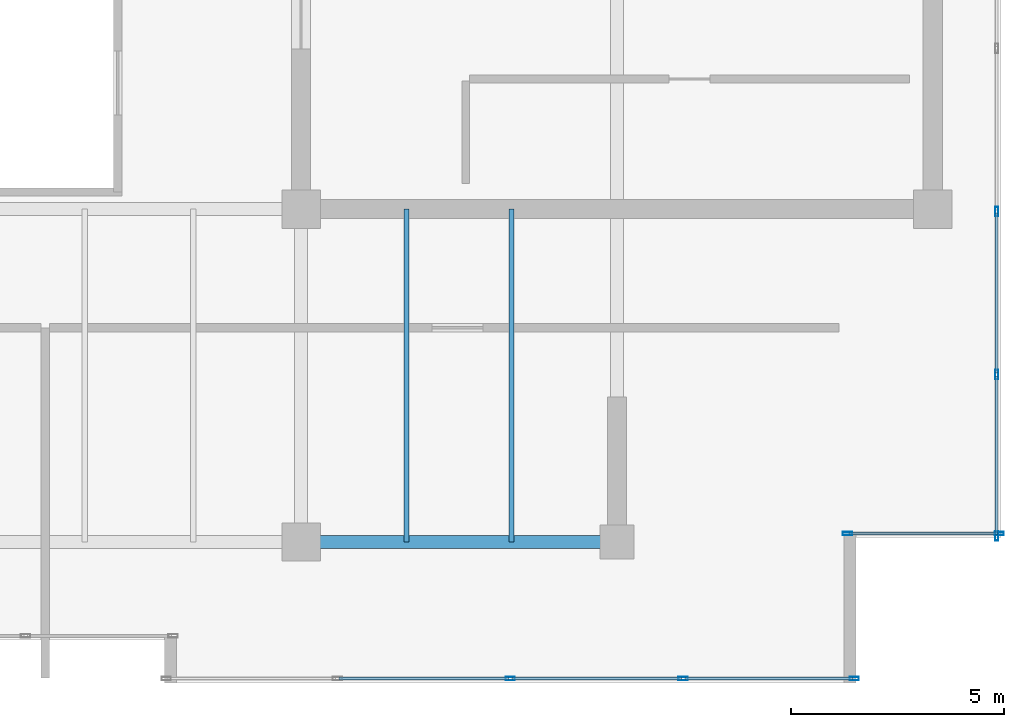
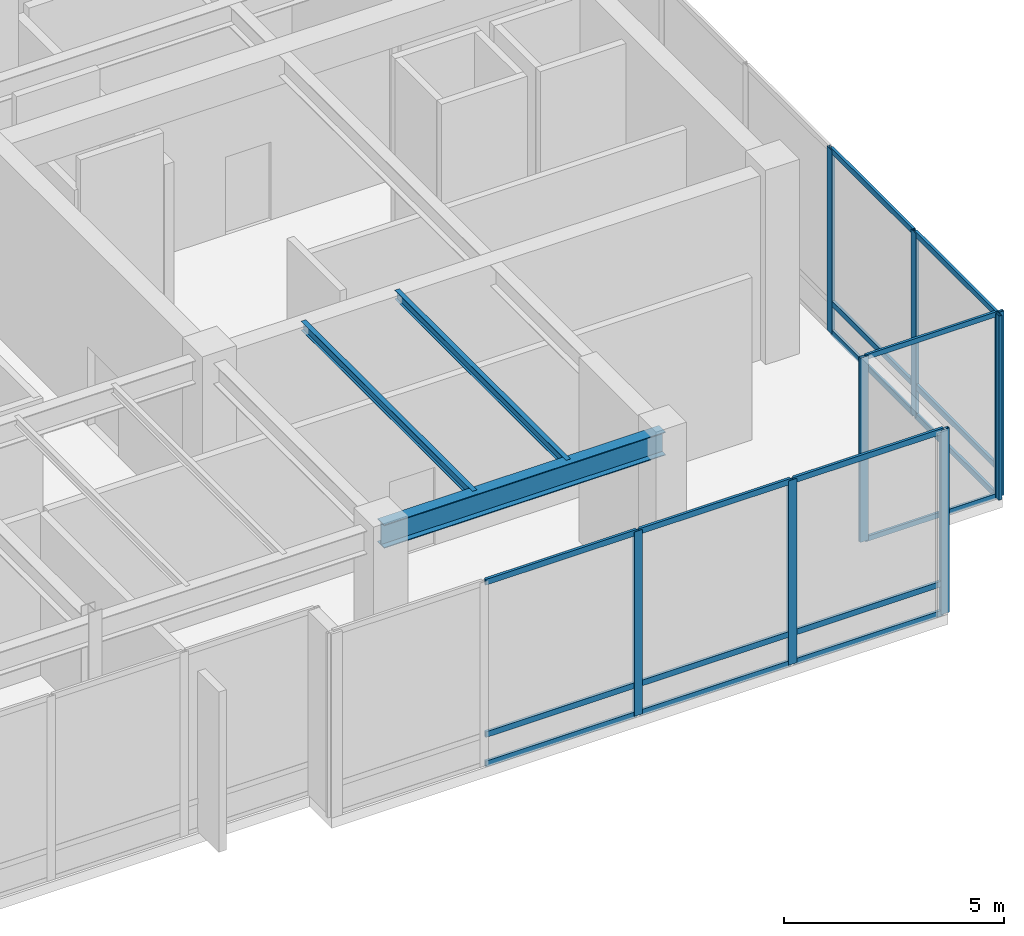
# One storey, part 14 of 30: 25 members, 3 beams, 3 elements without a shape of their own.
"""IFC4 building model written with IfcOpenShell, lengths in metres."""

from ifc_helpers import new_model, si_unit, direction, frame, origin, origin_2d, place, context, subcontext, project, spatial, hollow_rectangle, i_section, extrude, source, transform, mapped, material, layer, layer_set, material_profile, profile_set, type_object, type_shapes, element, aggregate, save


model = new_model("IFC4")

# Units and contexts
model_context = context("Model", 3, precision=1e-05, world=origin(), true_north=direction((0.0, 1.0)))
body_context = subcontext(model_context, "Body", "Model", "MODEL_VIEW")
ifc_project = project(units=[si_unit("LENGTHUNIT", "METRE"), si_unit("AREAUNIT", "SQUARE_METRE"), si_unit("VOLUMEUNIT", "CUBIC_METRE"), si_unit("PLANEANGLEUNIT", "RADIAN"), si_unit("MASSUNIT", "GRAM", prefix="KILO")], contexts=[model_context])

# Site, building, storey
site_placement = place(None, origin())
site = spatial("IfcSite", under=ifc_project, at=site_placement, CompositionType="ELEMENT")
building_placement = place(site_placement, origin())
building = spatial("IfcBuilding", under=site, at=building_placement, Name="Haelvirn Gate Laboratories", CompositionType="ELEMENT")
storey_placement = place(building_placement, frame((0.0, 0.0, 327.0)))
storey = spatial("IfcBuildingStorey", under=building, at=storey_placement, Name="L78", CompositionType="ELEMENT", Elevation=327.0)

# Beams
ifc_material_1 = material(Name="Steel SM355", Category="steel")
ifc_material_profile_1 = material_profile(ifc_material_1, i_section(OverallWidth=0.300048828125, OverallDepth=0.64990234375, WebThickness=0.012939453125, FlangeThickness=0.02197265625, at=origin_2d()), Name="H-650x300x13x22")
ifc_profile_set_1 = profile_set([ifc_material_profile_1], Name="Steel SM355")
beam_type_1 = type_object("IfcBeamType", Name="BM-G-650", PredefinedType="BEAM", material=ifc_profile_set_1)
shared_shape_1 = source(origin(), body_context, "Body", "SweptSolid", [
    extrude(i_section(OverallWidth=0.300048828125, OverallDepth=0.64990234375, WebThickness=0.012939453125, FlangeThickness=0.02197265625, at=origin_2d()), origin(), (0.0, 0.0, 1.0), 7.39990234375),
])
type_shapes(beam_type_1, [shared_shape_1])
beam_placement = place(storey_placement, frame((52.60009765625, 7.0, 4.794921875), z_axis=(1.0, 0.0, 0.0), x_axis=(0.0, 1.0, 0.0)))
element("IfcBeam", 1, at=beam_placement, inside=storey, type_object=beam_type_1, Name="L78 Primary Girder Y7.0 (52.6-60.0)", PredefinedType="BEAM", context=body_context, shape_type="MappedRepresentation", body=[
    mapped(shared_shape_1, transform((0.0, 0.0, 0.0), scale=1.0)),
])
ifc_material_profile_2 = material_profile(ifc_material_1, i_section(OverallWidth=0.125, OverallDepth=0.25, WebThickness=0.006103515625, FlangeThickness=0.009033203125, at=origin_2d()), Name="H-250x125x6x9")
ifc_profile_set_2 = profile_set([ifc_material_profile_2], Name="Steel SM355")
beam_type_2 = type_object("IfcBeamType", Name="BM-J-250", PredefinedType="JOIST", material=ifc_profile_set_2)
shared_shape_2 = source(origin(), body_context, "Body", "SweptSolid", [
    extrude(i_section(OverallWidth=0.125, OverallDepth=0.25, WebThickness=0.006103515625, FlangeThickness=0.009033203125, at=origin_2d()), origin(), (0.0, 0.0, 1.0), 7.800048828125),
])
type_shapes(beam_type_2, [shared_shape_2])
for number, where, z_axis, x_axis, name in (
    (2, (55.070068359375, 7.0, 4.9951171875), (0.0, 1.0, 0.0), (-1.0, 0.0, 0.0), "L78 Composite Lab Joist South X55.07"),
    (3, (57.530029296875, 7.0, 4.9951171875), (0.0, 1.0, 0.0), (-1.0, 0.0, 0.0), "L78 Composite Lab Joist South X57.53"),
):
    element("IfcBeam", number, at=place(storey_placement, frame(where, z_axis=z_axis, x_axis=x_axis)), inside=storey, type_object=beam_type_2, Name=name, PredefinedType="JOIST", context=body_context, shape_type="MappedRepresentation", body=[
        mapped(shared_shape_2, transform((0.0, 0.0, 0.0), scale=1.0)),
    ])

# Curtain wall, members
ifc_material_2 = material(Name="Anodised bronze unitised aluminium & triple low-E glass", Category="aluminium")
ifc_layer_1 = layer(ifc_material_2, 0.181884765625, Name="CW-SYS-5")
ifc_layer_set_1 = layer_set([ifc_layer_1], Name="Anodised bronze unitised aluminium & triple low-E glass")
curtain_wall_type_1 = type_object("IfcCurtainWallType", Name="CW-SYS-5", PredefinedType="NOTDEFINED", material=ifc_layer_set_1)
curtain_wall_1_placement = place(storey_placement, origin())
curtain_wall_1 = element("IfcCurtainWall", 4, at=curtain_wall_1_placement, inside=storey, type_object=curtain_wall_type_1, Name="L78 Unitised Curtain Wall CW-L78-P0-E06-1", PredefinedType="NOTDEFINED")
ifc_material_3 = material(Name="Extruded aluminium 6063-T6 (anodised bronze)", Category="aluminium")
ifc_material_profile_3 = material_profile(ifc_material_3, hollow_rectangle(XDim=0.06494140625, YDim=0.139892578125, WallThickness=0.00390625, at=origin_2d()), Name="CWT-140x65x4")
ifc_profile_set_3 = profile_set([ifc_material_profile_3], Name="Extruded aluminium 6063-T6 (anodised bronze)")
member_type_1 = type_object("IfcMemberType", Name="CWT-T140", PredefinedType="USERDEFINED", material=ifc_profile_set_3)
shared_shape_3 = source(origin(), body_context, "Body", "SweptSolid", [
    extrude(hollow_rectangle(XDim=0.06494140625, YDim=0.139892578125, WallThickness=0.00390625, at=origin_2d()), origin(), (0.0, 0.0, 1.0), 3.47998046875),
])
type_shapes(member_type_1, [shared_shape_3])
member_1_placement = place(storey_placement, frame((65.43994140625, 7.199951171875, 0.032470703125), z_axis=(1.0, 0.0, 0.0), x_axis=(0.0, 1.0, 0.0)))
member_1 = element("IfcMember", 5, at=member_1_placement, type_object=member_type_1, Name="CW5 transom 1.1", ObjectType="TRANSOM", PredefinedType="USERDEFINED", context=body_context, shape_type="MappedRepresentation", body=[
    mapped(shared_shape_3, transform((0.0, 0.0, 0.0), scale=1.0)),
])
member_2_placement = place(storey_placement, frame((65.43994140625, 7.199951171875, 5.08740234375), z_axis=(1.0, 0.0, 0.0), x_axis=(0.0, 1.0, 0.0)))
member_2 = element("IfcMember", 6, at=member_2_placement, type_object=member_type_1, Name="CW5 transom 1.2", ObjectType="TRANSOM", PredefinedType="USERDEFINED", context=body_context, shape_type="MappedRepresentation", body=[
    mapped(shared_shape_3, transform((0.0, 0.0, 0.0), scale=1.0)),
])

ifc_layer_2 = layer(ifc_material_2, 0.19189453125, Name="CW-SYS-6")
ifc_layer_set_2 = layer_set([ifc_layer_2], Name="Anodised bronze unitised aluminium & triple low-E glass")
curtain_wall_type_2 = type_object("IfcCurtainWallType", Name="CW-SYS-6", PredefinedType="NOTDEFINED", material=ifc_layer_set_2)
curtain_wall_2_placement = place(storey_placement, origin())
curtain_wall_2 = element("IfcCurtainWall", 7, at=curtain_wall_2_placement, inside=storey, type_object=curtain_wall_type_2, Name="L78 Unitised Curtain Wall CW-L78-P0-E04-1", PredefinedType="NOTDEFINED")
ifc_material_profile_4 = material_profile(ifc_material_3, hollow_rectangle(XDim=0.080078125, YDim=0.219970703125, WallThickness=0.006103515625, at=origin_2d()), Name="CWM-220x80x6")
ifc_profile_set_4 = profile_set([ifc_material_profile_4], Name="Extruded aluminium 6063-T6 (anodised bronze)")
member_type_2 = type_object("IfcMemberType", Name="CWM-T220", PredefinedType="MULLION", material=ifc_profile_set_4)
shared_shape_4 = source(origin(), body_context, "Body", "SweptSolid", [
    extrude(hollow_rectangle(XDim=0.080078125, YDim=0.219970703125, WallThickness=0.006103515625, at=origin_2d()), origin(), (0.0, 0.0, 1.0), 5.1201171875),
])
type_shapes(member_type_2, [shared_shape_4])
member_3_placement = place(storey_placement, frame((57.5, 3.800048828125, 0.0), z_axis=(0.0, 0.0, 1.0), x_axis=(0.0, 1.0, 0.0)))
member_3 = element("IfcMember", 8, at=member_3_placement, type_object=member_type_2, Name="CW6 mullion 3", PredefinedType="MULLION", context=body_context, shape_type="MappedRepresentation", body=[
    mapped(shared_shape_4, transform((0.0, 0.0, 0.0), scale=1.0)),
])
member_4_placement = place(storey_placement, frame((61.550048828125, 3.800048828125, 0.0), z_axis=(0.0, 0.0, 1.0), x_axis=(0.0, 1.0, 0.0)))
member_4 = element("IfcMember", 9, at=member_4_placement, type_object=member_type_2, Name="CW6 mullion 4", PredefinedType="MULLION", context=body_context, shape_type="MappedRepresentation", body=[
    mapped(shared_shape_4, transform((0.0, 0.0, 0.0), scale=1.0)),
])
member_5_placement = place(storey_placement, frame((65.56005859375, 3.800048828125, 0.0), z_axis=(0.0, 0.0, 1.0), x_axis=(0.0, 1.0, 0.0)))
member_5 = element("IfcMember", 10, at=member_5_placement, type_object=member_type_2, Name="CW6 mullion 5", PredefinedType="MULLION", context=body_context, shape_type="MappedRepresentation", body=[
    mapped(shared_shape_4, transform((0.0, 0.0, 0.0), scale=1.0)),
])

# Member
member_6_placement = place(storey_placement, frame((65.39990234375, 7.199951171875, 0.0), z_axis=(0.0, 0.0, 1.0), x_axis=(0.0, 1.0, 0.0)))
member_6 = element("IfcMember", 11, at=member_6_placement, type_object=member_type_2, Name="CW5 mullion 1", PredefinedType="MULLION", context=body_context, shape_type="MappedRepresentation", body=[
    mapped(shared_shape_4, transform((0.0, 0.0, 0.0), scale=1.0)),
])

member_7_placement = place(storey_placement, frame((68.9599609375, 7.199951171875, 0.0), z_axis=(0.0, 0.0, 1.0), x_axis=(0.0, 1.0, 0.0)))
member_7 = element("IfcMember", 12, at=member_7_placement, type_object=member_type_2, Name="CW5 mullion 2", PredefinedType="MULLION", context=body_context, shape_type="MappedRepresentation", body=[
    mapped(shared_shape_4, transform((0.0, 0.0, 0.0), scale=1.0)),
])

aggregate(curtain_wall_1, [member_6, member_7, member_1, member_2])

# Curtain wall, members
curtain_wall_3_placement = place(storey_placement, origin())
curtain_wall_3 = element("IfcCurtainWall", 13, at=curtain_wall_3_placement, inside=storey, type_object=curtain_wall_type_2, Name="L78 Unitised Curtain Wall CW-L78-P0-E07", PredefinedType="NOTDEFINED")
member_8_placement = place(storey_placement, frame((68.89990234375, 7.139892578125, 0.0), z_axis=(0.0, 0.0, 1.0), x_axis=(-1.0, 0.0, 0.0)))
member_8 = element("IfcMember", 14, at=member_8_placement, type_object=member_type_2, Name="CW6 mullion 1", PredefinedType="MULLION", context=body_context, shape_type="MappedRepresentation", body=[
    mapped(shared_shape_4, transform((0.0, 0.0, 0.0), scale=1.0)),
])
member_9_placement = place(storey_placement, frame((68.89990234375, 10.922119140625, 0.0), z_axis=(0.0, 0.0, 1.0), x_axis=(-1.0, 0.0, 0.0)))
member_9 = element("IfcMember", 15, at=member_9_placement, type_object=member_type_2, Name="CW6 mullion 2", PredefinedType="MULLION", context=body_context, shape_type="MappedRepresentation", body=[
    mapped(shared_shape_4, transform((0.0, 0.0, 0.0), scale=1.0)),
])
member_10_placement = place(storey_placement, frame((68.89990234375, 14.744384765625, 0.0), z_axis=(0.0, 0.0, 1.0), x_axis=(-1.0, 0.0, 0.0)))
member_10 = element("IfcMember", 16, at=member_10_placement, type_object=member_type_2, Name="CW6 mullion 3", PredefinedType="MULLION", context=body_context, shape_type="MappedRepresentation", body=[
    mapped(shared_shape_4, transform((0.0, 0.0, 0.0), scale=1.0)),
])

# Member
ifc_material_profile_5 = material_profile(ifc_material_3, hollow_rectangle(XDim=0.070068359375, YDim=0.159912109375, WallThickness=0.0048828125, at=origin_2d()), Name="CWT-160x70x5")
ifc_profile_set_5 = profile_set([ifc_material_profile_5], Name="Extruded aluminium 6063-T6 (anodised bronze)")
member_type_3 = type_object("IfcMemberType", Name="CWT-T160", PredefinedType="USERDEFINED", material=ifc_profile_set_5)
shared_shape_5 = source(origin(), body_context, "Body", "SweptSolid", [
    extrude(hollow_rectangle(XDim=0.070068359375, YDim=0.159912109375, WallThickness=0.0048828125, at=origin_2d()), origin(), (0.0, 0.0, 1.0), 3.929931640625),
])
member_11_placement = place(storey_placement, frame((61.590087890625, 3.800048828125, 0.034912109375), z_axis=(1.0, 0.0, 0.0), x_axis=(0.0, 1.0, 0.0)))
member_11 = element("IfcMember", 17, at=member_11_placement, type_object=member_type_3, Name="CW6 transom 4.1", ObjectType="TRANSOM", PredefinedType="USERDEFINED", context=body_context, shape_type="MappedRepresentation", body=[
    mapped(shared_shape_5, transform((0.0, 0.0, 0.0), scale=1.0)),
])

member_12_placement = place(storey_placement, frame((61.590087890625, 3.800048828125, 0.85009765625), z_axis=(1.0, 0.0, 0.0), x_axis=(0.0, 1.0, 0.0)))
member_12 = element("IfcMember", 18, at=member_12_placement, type_object=member_type_3, Name="CW6 transom 4.2", ObjectType="TRANSOM", PredefinedType="USERDEFINED", context=body_context, shape_type="MappedRepresentation", body=[
    mapped(shared_shape_5, transform((0.0, 0.0, 0.0), scale=1.0)),
])

member_13_placement = place(storey_placement, frame((61.590087890625, 3.800048828125, 5.0849609375), z_axis=(1.0, 0.0, 0.0), x_axis=(0.0, 1.0, 0.0)))
member_13 = element("IfcMember", 19, at=member_13_placement, type_object=member_type_3, Name="CW6 transom 4.3", ObjectType="TRANSOM", PredefinedType="USERDEFINED", context=body_context, shape_type="MappedRepresentation", body=[
    mapped(shared_shape_5, transform((0.0, 0.0, 0.0), scale=1.0)),
])

shared_shape_6 = source(origin(), body_context, "Body", "SweptSolid", [
    extrude(hollow_rectangle(XDim=0.070068359375, YDim=0.159912109375, WallThickness=0.0048828125, at=origin_2d()), origin(), (0.0, 0.0, 1.0), 3.969970703125),
])
member_14_placement = place(storey_placement, frame((53.489990234375, 3.800048828125, 0.034912109375), z_axis=(1.0, 0.0, 0.0), x_axis=(0.0, 1.0, 0.0)))
member_14 = element("IfcMember", 20, at=member_14_placement, type_object=member_type_3, Name="CW6 transom 2.1", ObjectType="TRANSOM", PredefinedType="USERDEFINED", context=body_context, shape_type="MappedRepresentation", body=[
    mapped(shared_shape_6, transform((0.0, 0.0, 0.0), scale=1.0)),
])

member_15_placement = place(storey_placement, frame((53.489990234375, 3.800048828125, 0.85009765625), z_axis=(1.0, 0.0, 0.0), x_axis=(0.0, 1.0, 0.0)))
member_15 = element("IfcMember", 21, at=member_15_placement, type_object=member_type_3, Name="CW6 transom 2.2", ObjectType="TRANSOM", PredefinedType="USERDEFINED", context=body_context, shape_type="MappedRepresentation", body=[
    mapped(shared_shape_6, transform((0.0, 0.0, 0.0), scale=1.0)),
])

member_16_placement = place(storey_placement, frame((53.489990234375, 3.800048828125, 5.0849609375), z_axis=(1.0, 0.0, 0.0), x_axis=(0.0, 1.0, 0.0)))
member_16 = element("IfcMember", 22, at=member_16_placement, type_object=member_type_3, Name="CW6 transom 2.3", ObjectType="TRANSOM", PredefinedType="USERDEFINED", context=body_context, shape_type="MappedRepresentation", body=[
    mapped(shared_shape_6, transform((0.0, 0.0, 0.0), scale=1.0)),
])

member_17_placement = place(storey_placement, frame((57.5400390625, 3.800048828125, 0.034912109375), z_axis=(1.0, 0.0, 0.0), x_axis=(0.0, 1.0, 0.0)))
member_17 = element("IfcMember", 23, at=member_17_placement, type_object=member_type_3, Name="CW6 transom 3.1", ObjectType="TRANSOM", PredefinedType="USERDEFINED", context=body_context, shape_type="MappedRepresentation", body=[
    mapped(shared_shape_6, transform((0.0, 0.0, 0.0), scale=1.0)),
])

member_18_placement = place(storey_placement, frame((57.5400390625, 3.800048828125, 0.85009765625), z_axis=(1.0, 0.0, 0.0), x_axis=(0.0, 1.0, 0.0)))
member_18 = element("IfcMember", 24, at=member_18_placement, type_object=member_type_3, Name="CW6 transom 3.2", ObjectType="TRANSOM", PredefinedType="USERDEFINED", context=body_context, shape_type="MappedRepresentation", body=[
    mapped(shared_shape_6, transform((0.0, 0.0, 0.0), scale=1.0)),
])

member_19_placement = place(storey_placement, frame((57.5400390625, 3.800048828125, 5.0849609375), z_axis=(1.0, 0.0, 0.0), x_axis=(0.0, 1.0, 0.0)))
member_19 = element("IfcMember", 25, at=member_19_placement, type_object=member_type_3, Name="CW6 transom 3.3", ObjectType="TRANSOM", PredefinedType="USERDEFINED", context=body_context, shape_type="MappedRepresentation", body=[
    mapped(shared_shape_6, transform((0.0, 0.0, 0.0), scale=1.0)),
])

aggregate(curtain_wall_2, [member_3, member_4, member_5, member_14, member_15, member_16, member_17, member_18, member_19, member_11, member_12, member_13])

shared_shape_7 = source(origin(), body_context, "Body", "SweptSolid", [
    extrude(hollow_rectangle(XDim=0.070068359375, YDim=0.159912109375, WallThickness=0.0048828125, at=origin_2d()), origin(), (0.0, 0.0, 1.0), 3.702392578125),
])
member_20_placement = place(storey_placement, frame((68.89990234375, 7.179931640625, 0.034912109375), z_axis=(0.0, 1.0, 0.0), x_axis=(-1.0, 0.0, 0.0)))
member_20 = element("IfcMember", 26, at=member_20_placement, type_object=member_type_3, Name="CW6 transom 1.1", ObjectType="TRANSOM", PredefinedType="USERDEFINED", context=body_context, shape_type="MappedRepresentation", body=[
    mapped(shared_shape_7, transform((0.0, 0.0, 0.0), scale=1.0)),
])

member_21_placement = place(storey_placement, frame((68.89990234375, 7.179931640625, 0.85009765625), z_axis=(0.0, 1.0, 0.0), x_axis=(-1.0, 0.0, 0.0)))
member_21 = element("IfcMember", 27, at=member_21_placement, type_object=member_type_3, Name="CW6 transom 1.2", ObjectType="TRANSOM", PredefinedType="USERDEFINED", context=body_context, shape_type="MappedRepresentation", body=[
    mapped(shared_shape_7, transform((0.0, 0.0, 0.0), scale=1.0)),
])

member_22_placement = place(storey_placement, frame((68.89990234375, 7.179931640625, 5.0849609375), z_axis=(0.0, 1.0, 0.0), x_axis=(-1.0, 0.0, 0.0)))
member_22 = element("IfcMember", 28, at=member_22_placement, type_object=member_type_3, Name="CW6 transom 1.3", ObjectType="TRANSOM", PredefinedType="USERDEFINED", context=body_context, shape_type="MappedRepresentation", body=[
    mapped(shared_shape_7, transform((0.0, 0.0, 0.0), scale=1.0)),
])

shared_shape_8 = source(origin(), body_context, "Body", "SweptSolid", [
    extrude(hollow_rectangle(XDim=0.070068359375, YDim=0.159912109375, WallThickness=0.0048828125, at=origin_2d()), origin(), (0.0, 0.0, 1.0), 3.7421875),
])
type_shapes(member_type_3, [shared_shape_5, shared_shape_6, shared_shape_7, shared_shape_8])
member_23_placement = place(storey_placement, frame((68.89990234375, 10.962158203125, 0.034912109375), z_axis=(0.0, 1.0, 0.0), x_axis=(-1.0, 0.0, 0.0)))
member_23 = element("IfcMember", 29, at=member_23_placement, type_object=member_type_3, Name="CW6 transom 2.1", ObjectType="TRANSOM", PredefinedType="USERDEFINED", context=body_context, shape_type="MappedRepresentation", body=[
    mapped(shared_shape_8, transform((0.0, 0.0, 0.0), scale=1.0)),
])

member_24_placement = place(storey_placement, frame((68.89990234375, 10.962158203125, 0.85009765625), z_axis=(0.0, 1.0, 0.0), x_axis=(-1.0, 0.0, 0.0)))
member_24 = element("IfcMember", 30, at=member_24_placement, type_object=member_type_3, Name="CW6 transom 2.2", ObjectType="TRANSOM", PredefinedType="USERDEFINED", context=body_context, shape_type="MappedRepresentation", body=[
    mapped(shared_shape_8, transform((0.0, 0.0, 0.0), scale=1.0)),
])

member_25_placement = place(storey_placement, frame((68.89990234375, 10.962158203125, 5.0849609375), z_axis=(0.0, 1.0, 0.0), x_axis=(-1.0, 0.0, 0.0)))
member_25 = element("IfcMember", 31, at=member_25_placement, type_object=member_type_3, Name="CW6 transom 2.3", ObjectType="TRANSOM", PredefinedType="USERDEFINED", context=body_context, shape_type="MappedRepresentation", body=[
    mapped(shared_shape_8, transform((0.0, 0.0, 0.0), scale=1.0)),
])

aggregate(curtain_wall_3, [member_8, member_9, member_10, member_20, member_21, member_22, member_23, member_24, member_25])

save(model, "model.ifc")
